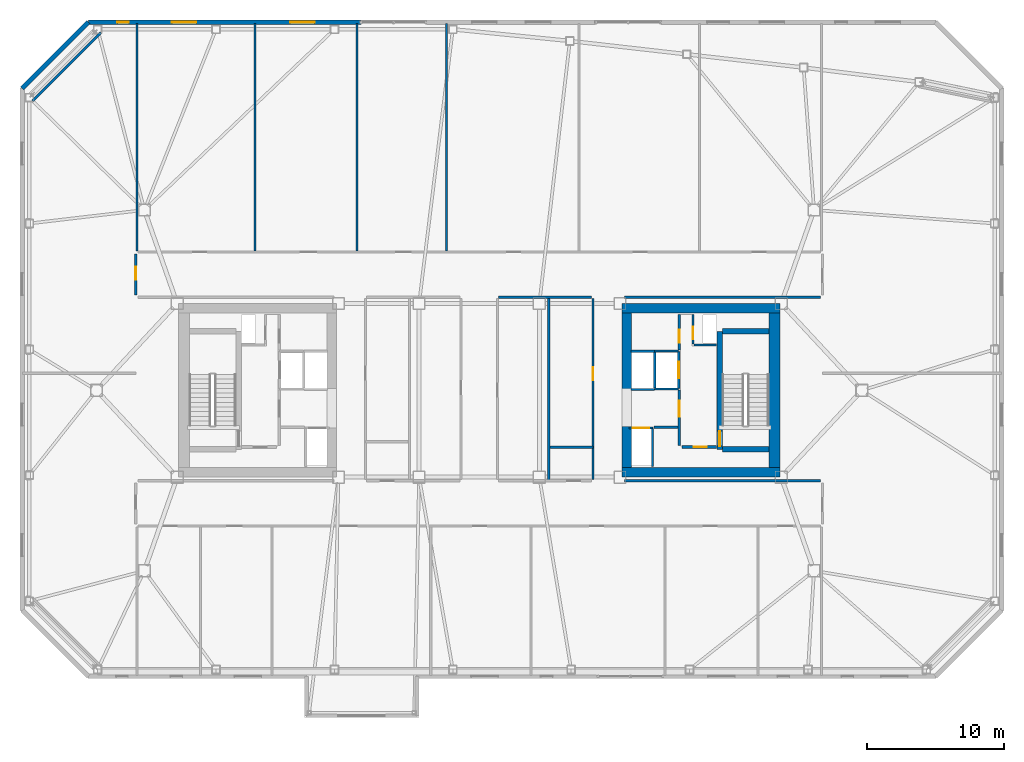
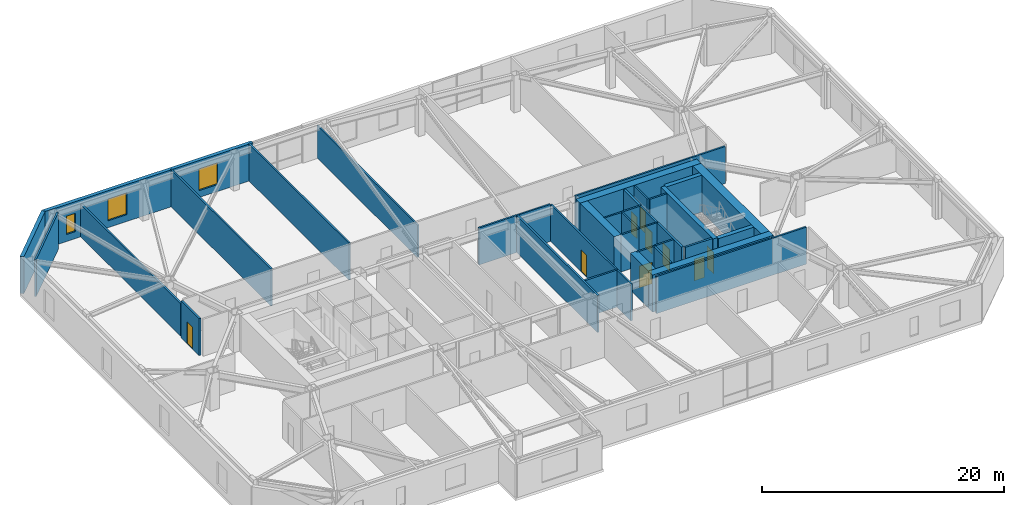
# One storey, part 11 of 16: 36 walls, 9 doors, 3 windows, 12 openings.
"""IFC4 building model written with IfcOpenShell, lengths in metres."""

from ifc_helpers import new_model, si_unit, direction, frame, frame_2d, origin, place, context, subcontext, project, spatial, rectangle, extrude, material, layer, layer_set, type_object, element, fill, save


model = new_model("IFC4")

# Units and contexts
model_context = context("Model", 3, precision=1e-05, world=origin(), true_north=direction((0.0, 1.0)))
body_context = subcontext(model_context, "Body", "Model", "MODEL_VIEW")
ifc_project = project(units=[si_unit("LENGTHUNIT", "METRE"), si_unit("AREAUNIT", "SQUARE_METRE"), si_unit("VOLUMEUNIT", "CUBIC_METRE"), si_unit("PLANEANGLEUNIT", "RADIAN"), si_unit("MASSUNIT", "GRAM", prefix="KILO")], contexts=[model_context])

# Site, building, storey
site_placement = place(None, origin())
site = spatial("IfcSite", under=ifc_project, at=site_placement, CompositionType="ELEMENT")
building_placement = place(site_placement, origin())
building = spatial("IfcBuilding", under=site, at=building_placement, Name="Tavrogorsk Clinical Tower", CompositionType="ELEMENT")
storey_placement = place(building_placement, frame((0.0, 0.0, 164.199951171875)))
storey = spatial("IfcBuildingStorey", under=building, at=storey_placement, Name="L37", CompositionType="ELEMENT", Elevation=164.199951171875)

# Wall, opening, door
ifc_material_1 = material(Name="Concrete B60", Category="concrete")
ifc_layer_1 = layer(ifc_material_1, 0.199951171875)
ifc_layer_set_1 = layer_set([ifc_layer_1], Name="Concrete B60")
wall_type_1 = type_object("IfcWallType", Name="CoreFireWall_200", PredefinedType="SOLIDWALL", material=ifc_layer_set_1)
wall_1_placement = place(storey_placement, frame((14.824951171875, -4.139892578125, 0.0), z_axis=(0.0, 0.0, 1.0), x_axis=(1.0, 0.0, 0.0)))
wall_1 = element("IfcWall", 1, at=wall_1_placement, inside=storey, type_object=wall_type_1, Name="L37 Core East South Core Room Fire Wall", PredefinedType="SOLIDWALL", context=body_context, shape_type="SweptSolid", body=[
    extrude(rectangle(XDim=2.554931640625, YDim=0.199951171875, at=frame_2d((1.27734375, 0.0))), origin(), (0.0, 0.0, 1.0), 3.739990234375),
])
opening_1_placement = place(wall_1_placement, frame((0.8798828125, 0.0, 0.0)))
opening_1 = element("IfcOpeningElement", 2, at=opening_1_placement, cuts=wall_1, Name="Opening ID-02", PredefinedType="OPENING", context=body_context, shape_type="SweptSolid", body=[
    extrude(rectangle(XDim=0.949951171875, YDim=2.199951171875, at=frame_2d((0.47509765625, 1.10009765625))), frame((0.0, 0.10986328125, 0.0), z_axis=(0.0, -1.0, 0.0), x_axis=(1.0, 0.0, 0.0)), (0.0, 0.0, 1.0), 0.219970703125),
])
ifc_material_2 = material(Name="Laminated timber leaf on aluminium frame", Category="wood")
door_type_1 = type_object("IfcDoorType", Name="InteriorDoor_ID02_950", OperationType="NOTDEFINED", PredefinedType="DOOR", material=ifc_material_2)
door_1_placement = place(opening_1_placement, origin())
door_1 = element("IfcDoor", 3, at=door_1_placement, inside=storey, type_object=door_type_1, Name="L37 Core East South Core Room Door", OperationType="SINGLE_SWING_RIGHT", OverallHeight=2.199951171875, OverallWidth=0.949951171875, PredefinedType="DOOR", context=body_context, shape_type="SweptSolid", body=[
    extrude(rectangle(XDim=0.949951171875, YDim=2.199951171875, at=frame_2d((0.47509765625, 1.10009765625))), frame((0.0, 0.02490234375, 0.0), z_axis=(0.0, -1.0, 0.0), x_axis=(1.0, 0.0, 0.0)), (0.0, 0.0, 1.0), 0.050048828125),
])
fill(opening_1, door_1)

wall_2_placement = place(storey_placement, frame((14.639892578125, 2.9599609375, 0.0), z_axis=(0.0, 0.0, 1.0), x_axis=(0.0, 1.0, 0.0)))
wall_2 = element("IfcWall", 4, at=wall_2_placement, inside=storey, type_object=wall_type_1, Name="L37 Core East North Core Room East Wall", PredefinedType="SOLIDWALL", context=body_context, shape_type="SweptSolid", body=[
    extrude(rectangle(XDim=2.60009765625, YDim=0.199951171875, at=frame_2d((1.300048828125, 0.0))), origin(), (0.0, 0.0, 1.0), 3.739990234375),
])
opening_2_placement = place(wall_2_placement, frame((0.52001953125, 0.0, 0.0)))
opening_2 = element("IfcOpeningElement", 5, at=opening_2_placement, cuts=wall_2, Name="Opening ID-02", PredefinedType="OPENING", context=body_context, shape_type="SweptSolid", body=[
    extrude(rectangle(XDim=0.949951171875, YDim=2.199951171875, at=frame_2d((0.47509765625, 1.10009765625))), frame((0.0, 0.10986328125, 0.0), z_axis=(0.0, -1.0, 0.0), x_axis=(1.0, 0.0, 0.0)), (0.0, 0.0, 1.0), 0.219970703125),
])
door_2_placement = place(opening_2_placement, origin())
door_2 = element("IfcDoor", 6, at=door_2_placement, inside=storey, type_object=door_type_1, Name="L37 Core East Core Telemetry Room Door", OperationType="SINGLE_SWING_LEFT", OverallHeight=2.199951171875, OverallWidth=0.949951171875, PredefinedType="DOOR", context=body_context, shape_type="SweptSolid", body=[
    extrude(rectangle(XDim=0.949951171875, YDim=2.199951171875, at=frame_2d((0.47509765625, 1.10009765625))), frame((0.0, 0.02490234375, 0.0), z_axis=(0.0, -1.0, 0.0), x_axis=(1.0, 0.0, 0.0)), (0.0, 0.0, 1.0), 0.050048828125),
])
fill(opening_2, door_2)

wall_3_placement = place(storey_placement, frame((14.639892578125, -4.034912109375, 0.0), z_axis=(0.0, 0.0, 1.0), x_axis=(0.0, 1.0, 0.0)))
wall_3 = element("IfcWall", 7, at=wall_3_placement, inside=storey, type_object=wall_type_1, Name="L37 Core East Firefighting Lobby Fire Wall", PredefinedType="SOLIDWALL", context=body_context, shape_type="SweptSolid", body=[
    extrude(rectangle(XDim=4.074951171875, YDim=0.199951171875, at=frame_2d((2.03759765625, 0.0))), origin(), (0.0, 0.0, 1.0), 3.739990234375),
])
opening_3_placement = place(wall_3_placement, frame((2.090087890625, 0.0, 0.0)))
opening_3 = element("IfcOpeningElement", 8, at=opening_3_placement, cuts=wall_3, Name="Opening FD-01", PredefinedType="OPENING", context=body_context, shape_type="SweptSolid", body=[
    extrude(rectangle(XDim=1.199951171875, YDim=2.199951171875, at=frame_2d((0.60009765625, 1.10009765625))), frame((0.0, 0.10986328125, 0.0), z_axis=(0.0, -1.0, 0.0), x_axis=(1.0, 0.0, 0.0)), (0.0, 0.0, 1.0), 0.219970703125),
])
ifc_material_3 = material(Name="Galvanised steel fire-rated door assembly", Category="steel")
door_type_2 = type_object("IfcDoorType", Name="FireDoor_FD01_1200", OperationType="NOTDEFINED", PredefinedType="DOOR", material=ifc_material_3)
door_3_placement = place(opening_3_placement, origin())
door_3 = element("IfcDoor", 9, at=door_3_placement, inside=storey, type_object=door_type_2, Name="L37 Core East Firefighting Lobby Entry Door", OperationType="SINGLE_SWING_RIGHT", OverallHeight=2.199951171875, OverallWidth=1.199951171875, PredefinedType="DOOR", context=body_context, shape_type="SweptSolid", body=[
    extrude(rectangle(XDim=1.199951171875, YDim=2.199951171875, at=frame_2d((0.60009765625, 1.10009765625))), frame((0.0, 0.02490234375, 0.0), z_axis=(0.0, -1.0, 0.0), x_axis=(1.0, 0.0, 0.0)), (0.0, 0.0, 1.0), 0.050048828125),
])
fill(opening_3, door_3)

# Walls
ifc_material_4 = material(Name="Lightweight concrete blockwork B15", Category="masonry")
ifc_layer_2 = layer(ifc_material_4, 0.159912109375)
ifc_layer_set_2 = layer_set([ifc_layer_2], Name="Lightweight concrete blockwork B15")
wall_type_2 = type_object("IfcWallType", Name="PartitionWall_160", PredefinedType="PARTITIONING", material=ifc_layer_set_2)
wall_4_placement = place(storey_placement, frame((12.77490234375, -2.699951171875, 0.0), z_axis=(0.0, 0.0, 1.0), x_axis=(1.0, 0.0, 0.0)))
element("IfcWall", 10, at=wall_4_placement, inside=storey, type_object=wall_type_2, Name="L37 Core East Freed Low-Bank North Partition", PredefinedType="PARTITIONING", context=body_context, shape_type="SweptSolid", body=[
    extrude(rectangle(XDim=1.760009765625, YDim=0.159912109375, at=frame_2d((0.8798828125, 0.0))), origin(), (0.0, 0.0, 1.0), 3.739990234375),
])
wall_5_placement = place(storey_placement, frame((-27.6796875, 26.1796875, 0.0), z_axis=(0.0, 0.0, 1.0), x_axis=(-0.707106781187, -0.707106781187, 0.0)))
element("IfcWall", 11, at=wall_5_placement, inside=storey, type_object=wall_type_2, Name="L37 Corner Exoskeleton Brace Furring Wall 3", PredefinedType="PARTITIONING", context=body_context, shape_type="SweptSolid", body=[
    extrude(rectangle(XDim=7.071044921875, YDim=0.159912109375, at=frame_2d((3.53564453125, 0.0))), origin(), (0.0, 0.0, 1.0), 3.739990234375),
])

# Wall, opening, door
wall_6_placement = place(storey_placement, frame((-25.1298828125, 6.985107421875, 0.0), z_axis=(0.0, 0.0, 1.0), x_axis=(0.0, 1.0, 0.0)))
wall_6 = element("IfcWall", 12, at=wall_6_placement, inside=storey, type_object=wall_type_2, Name="L37 Corridor Partition 04", PredefinedType="PARTITIONING", context=body_context, shape_type="SweptSolid", body=[
    extrude(rectangle(XDim=2.97998046875, YDim=0.159912109375, at=frame_2d((1.489990234375, 0.0))), origin(), (0.0, 0.0, 1.0), 3.739990234375),
])
opening_4_placement = place(wall_6_placement, frame((1.10009765625, 0.0, 0.0)))
opening_4 = element("IfcOpeningElement", 13, at=opening_4_placement, cuts=wall_6, Name="Opening ID-02", PredefinedType="OPENING", context=body_context, shape_type="SweptSolid", body=[
    extrude(rectangle(XDim=0.949951171875, YDim=2.199951171875, at=frame_2d((0.47509765625, 1.10009765625))), frame((0.0, 0.08984375, 0.0), z_axis=(0.0, -1.0, 0.0), x_axis=(1.0, 0.0, 0.0)), (0.0, 0.0, 1.0), 0.179931640625),
])
door_4_placement = place(opening_4_placement, origin())
door_4 = element("IfcDoor", 14, at=door_4_placement, inside=storey, type_object=door_type_1, Name="L37 W Rehabilitation Therapy Suite 2 Door", OperationType="SINGLE_SWING_LEFT", OverallHeight=2.199951171875, OverallWidth=0.949951171875, PredefinedType="DOOR", context=body_context, shape_type="SweptSolid", body=[
    extrude(rectangle(XDim=0.949951171875, YDim=2.199951171875, at=frame_2d((0.47509765625, 1.10009765625))), frame((0.0, 0.02490234375, 0.0), z_axis=(0.0, -1.0, 0.0), x_axis=(1.0, 0.0, 0.0)), (0.0, 0.0, 1.0), 0.050048828125),
])
fill(opening_4, door_4)

# Walls
for number, where, z_axis, x_axis, name in (
    (15, (24.965087890625, 6.820068359375, 0.0), (0.0, 0.0, 1.0), (-1.0, 0.0, 0.0), "L37 Corridor Partition 07"),
    (16, (10.6298828125, -6.6201171875, 0.0), (0.0, 0.0, 1.0), (1.0, 0.0, 0.0), "L37 Corridor Partition 08"),
):
    element("IfcWall", number, at=place(storey_placement, frame(where, z_axis=z_axis, x_axis=x_axis)), inside=storey, type_object=wall_type_2, Name=name, PredefinedType="PARTITIONING", context=body_context, shape_type="SweptSolid", body=[
        extrude(rectangle(XDim=14.335205078125, YDim=0.159912109375, at=frame_2d((7.16748046875, 0.0))), origin(), (0.0, 0.0, 1.0), 3.739990234375),
    ])
wall_7_placement = place(storey_placement, frame((8.235107421875, 6.820068359375, 0.0), z_axis=(0.0, 0.0, 1.0), x_axis=(-1.0, 0.0, 0.0)))
element("IfcWall", 17, at=wall_7_placement, inside=storey, type_object=wall_type_2, Name="L37 Corridor Partition 11", PredefinedType="PARTITIONING", context=body_context, shape_type="SweptSolid", body=[
    extrude(rectangle(XDim=6.820068359375, YDim=0.159912109375, at=frame_2d((3.41015625, 0.0))), origin(), (0.0, 0.0, 1.0), 3.739990234375),
])

# Wall, opening, door
wall_8_placement = place(storey_placement, frame((8.320068359375, -6.534912109375, 0.0), z_axis=(0.0, 0.0, 1.0), x_axis=(0.0, 1.0, 0.0)))
wall_8 = element("IfcWall", 18, at=wall_8_placement, inside=storey, type_object=wall_type_2, Name="L37 Corridor Partition 14", PredefinedType="PARTITIONING", context=body_context, shape_type="SweptSolid", body=[
    extrude(rectangle(XDim=13.27001953125, YDim=0.159912109375, at=frame_2d((6.635009765625, 0.0))), origin(), (0.0, 0.0, 1.0), 3.739990234375),
])
opening_5_placement = place(wall_8_placement, frame((7.285888671875, 0.0, 0.0)))
opening_5 = element("IfcOpeningElement", 19, at=opening_5_placement, cuts=wall_8, Name="Opening ID-02", PredefinedType="OPENING", context=body_context, shape_type="SweptSolid", body=[
    extrude(rectangle(XDim=0.949951171875, YDim=2.199951171875, at=frame_2d((0.47509765625, 1.10009765625))), frame((0.0, 0.08984375, 0.0), z_axis=(0.0, -1.0, 0.0), x_axis=(1.0, 0.0, 0.0)), (0.0, 0.0, 1.0), 0.179931640625),
])
door_5_placement = place(opening_5_placement, origin())
door_5 = element("IfcDoor", 20, at=door_5_placement, inside=storey, type_object=door_type_1, Name="L37 Resident Clinician Study Door", OperationType="SINGLE_SWING_LEFT", OverallHeight=2.199951171875, OverallWidth=0.949951171875, PredefinedType="DOOR", context=body_context, shape_type="SweptSolid", body=[
    extrude(rectangle(XDim=0.949951171875, YDim=2.199951171875, at=frame_2d((0.47509765625, 1.10009765625))), frame((0.0, 0.02490234375, 0.0), z_axis=(0.0, -1.0, 0.0), x_axis=(1.0, 0.0, 0.0)), (0.0, 0.0, 1.0), 0.050048828125),
])
fill(opening_5, door_5)

# Walls
wall_9_placement = place(storey_placement, frame((-25.050048828125, 10.215087890625, 0.0), z_axis=(0.0, 0.0, 1.0), x_axis=(0.0, 1.0, 0.0)))
element("IfcWall", 21, at=wall_9_placement, inside=storey, type_object=wall_type_2, Name="L37 NW Wing Closure Partition", PredefinedType="PARTITIONING", context=body_context, shape_type="SweptSolid", body=[
    extrude(rectangle(XDim=16.64501953125, YDim=0.159912109375, at=frame_2d((8.322509765625, 0.0))), origin(), (0.0, 0.0, 1.0), 3.28515625),
])
wall_10_placement = place(storey_placement, frame((-16.39990234375, 10.215087890625, 0.0), z_axis=(0.0, 0.0, 1.0), x_axis=(0.0, 1.0, 0.0)))
element("IfcWall", 22, at=wall_10_placement, inside=storey, type_object=wall_type_2, Name="L37 North Room Partition 1", PredefinedType="PARTITIONING", context=body_context, shape_type="SweptSolid", body=[
    extrude(rectangle(XDim=16.64501953125, YDim=0.159912109375, at=frame_2d((8.322509765625, 0.0))), origin(), (0.0, 0.0, 1.0), 3.739990234375),
])
wall_11_placement = place(storey_placement, frame((-2.39990234375, 10.215087890625, 0.0), z_axis=(0.0, 0.0, 1.0), x_axis=(0.0, 1.0, 0.0)))
element("IfcWall", 23, at=wall_11_placement, inside=storey, type_object=wall_type_2, Name="L37 North Room Partition 2", PredefinedType="PARTITIONING", context=body_context, shape_type="SweptSolid", body=[
    extrude(rectangle(XDim=16.64501953125, YDim=0.159912109375, at=frame_2d((8.322509765625, 0.0))), origin(), (0.0, 0.0, 1.0), 3.28515625),
])
wall_12_placement = place(storey_placement, frame((-8.949951171875, 10.215087890625, 0.0), z_axis=(0.0, 0.0, 1.0), x_axis=(0.0, 1.0, 0.0)))
element("IfcWall", 24, at=wall_12_placement, inside=storey, type_object=wall_type_2, Name="L37 North Sub-Partition 2", PredefinedType="PARTITIONING", context=body_context, shape_type="SweptSolid", body=[
    extrude(rectangle(XDim=16.64501953125, YDim=0.159912109375, at=frame_2d((8.322509765625, 0.0))), origin(), (0.0, 0.0, 1.0), 3.739990234375),
])
ifc_material_5 = material(Name="Lightweight concrete blockwork B20", Category="masonry")
ifc_layer_3 = layer(ifc_material_5, 0.179931640625)
ifc_layer_set_3 = layer_set([ifc_layer_3], Name="Lightweight concrete blockwork B20")
wall_type_3 = type_object("IfcWallType", Name="PartitionWall_180", PredefinedType="PARTITIONING", material=ifc_layer_set_3)
wall_13_placement = place(storey_placement, frame((5.10009765625, -6.614990234375, 0.0), z_axis=(0.0, 0.0, 1.0), x_axis=(0.0, 1.0, 0.0)))
element("IfcWall", 25, at=wall_13_placement, inside=storey, type_object=wall_type_3, Name="L37 Central Spine Partition 2", PredefinedType="PARTITIONING", context=body_context, shape_type="SweptSolid", body=[
    extrude(rectangle(XDim=13.429931640625, YDim=0.179931640625, at=frame_2d((6.71484375, 0.0))), origin(), (0.0, 0.0, 1.0), 3.739990234375),
])
wall_14_placement = place(storey_placement, frame((5.195068359375, -4.14990234375, 0.0), z_axis=(0.0, 0.0, 1.0), x_axis=(1.0, 0.0, 0.0)))
element("IfcWall", 26, at=wall_14_placement, inside=storey, type_object=wall_type_3, Name="L37 Central Spine Partition 4", PredefinedType="PARTITIONING", context=body_context, shape_type="SweptSolid", body=[
    extrude(rectangle(XDim=3.119873046875, YDim=0.179931640625, at=frame_2d((1.56005859375, 0.0))), origin(), (0.0, 0.0, 1.0), 3.739990234375),
])

# Wall, openings, windows
ifc_material_6 = material(Name="Precast concrete B45 with limestone cladding", Category="masonry")
ifc_layer_4 = layer(ifc_material_6, 0.340087890625)
ifc_layer_set_4 = layer_set([ifc_layer_4], Name="Precast concrete B45 with limestone cladding")
wall_type_4 = type_object("IfcWallType", Name="PrecastLimestoneWall_340", PredefinedType="STANDARD", material=ifc_layer_set_4)
wall_15_placement = place(storey_placement, frame((-8.662841796875, 26.929931640625, 0.0), z_axis=(0.0, 0.0, 1.0), x_axis=(-1.0, 0.0, 0.0)))
wall_15 = element("IfcWall", 27, at=wall_15_placement, inside=storey, type_object=wall_type_4, Name="L37 N Limestone Facade Wall 3", PredefinedType="STANDARD", context=body_context, shape_type="SweptSolid", body=[
    extrude(rectangle(XDim=19.937255859375, YDim=0.340087890625, at=frame_2d((9.96875, 0.0))), origin(), (0.0, 0.0, 1.0), 3.739990234375),
])
opening_6_placement = place(wall_15_placement, frame((16.96826171875, 0.0, 0.699951171875)))
opening_6 = element("IfcOpeningElement", 28, at=opening_6_placement, cuts=wall_15, Name="Opening WN-06", PredefinedType="OPENING", context=body_context, shape_type="SweptSolid", body=[
    extrude(rectangle(XDim=0.85009765625, YDim=1.85009765625, at=frame_2d((0.425048828125, 0.925048828125))), frame((0.0, 0.179931640625, 0.0), z_axis=(0.0, -1.0, 0.0), x_axis=(1.0, 0.0, 0.0)), (0.0, 0.0, 1.0), 0.360107421875),
])
opening_7_placement = place(wall_15_placement, frame((12.033203125, 0.0, 0.699951171875)))
opening_7 = element("IfcOpeningElement", 29, at=opening_7_placement, cuts=wall_15, Name="Opening WN-04", PredefinedType="OPENING", context=body_context, shape_type="SweptSolid", body=[
    extrude(rectangle(XDim=1.800048828125, YDim=2.199951171875, at=frame_2d((0.89990234375, 1.10009765625))), frame((0.0, 0.179931640625, 0.0), z_axis=(0.0, -1.0, 0.0), x_axis=(1.0, 0.0, 0.0)), (0.0, 0.0, 1.0), 0.360107421875),
])
opening_8_placement = place(wall_15_placement, frame((3.37060546875, 0.0, 0.699951171875)))
opening_8 = element("IfcOpeningElement", 30, at=opening_8_placement, cuts=wall_15, Name="Opening WN-04", PredefinedType="OPENING", context=body_context, shape_type="SweptSolid", body=[
    extrude(rectangle(XDim=1.800048828125, YDim=2.199951171875, at=frame_2d((0.89990234375, 1.10009765625))), frame((0.0, 0.179931640625, 0.0), z_axis=(0.0, -1.0, 0.0), x_axis=(1.0, 0.0, 0.0)), (0.0, 0.0, 1.0), 0.360107421875),
])
ifc_material_7 = material(Name="Thermally broken aluminium frame and triple IGU", Category="aluminium")
window_type_1 = type_object("IfcWindowType", Name="IsolationWin_1800x2200", PartitioningType="SINGLE_PANEL", PredefinedType="WINDOW", material=ifc_material_7)
window_1_placement = place(opening_7_placement, origin())
window_1 = element("IfcWindow", 31, at=window_1_placement, inside=storey, type_object=window_type_1, Name="L37 N Chicago Window 02", OverallHeight=2.199951171875, OverallWidth=1.800048828125, PartitioningType="SINGLE_PANEL", PredefinedType="WINDOW", context=body_context, shape_type="SweptSolid", body=[
    extrude(rectangle(XDim=1.800048828125, YDim=2.199951171875, at=frame_2d((0.89990234375, 1.10009765625))), frame((0.0, 0.030029296875, 0.0), z_axis=(0.0, -1.0, 0.0), x_axis=(1.0, 0.0, 0.0)), (0.0, 0.0, 1.0), 0.06005859375),
])
fill(opening_7, window_1)
window_2_placement = place(opening_8_placement, origin())
window_2 = element("IfcWindow", 32, at=window_2_placement, inside=storey, type_object=window_type_1, Name="L37 N Chicago Window 04", OverallHeight=2.199951171875, OverallWidth=1.800048828125, PartitioningType="SINGLE_PANEL", PredefinedType="WINDOW", context=body_context, shape_type="SweptSolid", body=[
    extrude(rectangle(XDim=1.800048828125, YDim=2.199951171875, at=frame_2d((0.89990234375, 1.10009765625))), frame((0.0, 0.030029296875, 0.0), z_axis=(0.0, -1.0, 0.0), x_axis=(1.0, 0.0, 0.0)), (0.0, 0.0, 1.0), 0.06005859375),
])
fill(opening_8, window_2)
ifc_material_8 = material(Name="Thermally broken aluminium frame and triple IGU", Category="aluminium")
window_type_2 = type_object("IfcWindowType", Name="MullionSubWin_850x1850", PartitioningType="SINGLE_PANEL", PredefinedType="WINDOW", material=ifc_material_8)
window_3_placement = place(opening_6_placement, origin())
window_3 = element("IfcWindow", 33, at=window_3_placement, inside=storey, type_object=window_type_2, Name="L37 N Mullion Split Window 01B", OverallHeight=1.85009765625, OverallWidth=0.85009765625, PartitioningType="SINGLE_PANEL", PredefinedType="WINDOW", context=body_context, shape_type="SweptSolid", body=[
    extrude(rectangle(XDim=0.85009765625, YDim=1.85009765625, at=frame_2d((0.425048828125, 0.925048828125))), frame((0.0, 0.030029296875, 0.0), z_axis=(0.0, -1.0, 0.0), x_axis=(1.0, 0.0, 0.0)), (0.0, 0.0, 1.0), 0.06005859375),
])
fill(opening_6, window_3)

# Wall
wall_16_placement = place(storey_placement, frame((-28.60009765625, 26.929931640625, 0.0), z_axis=(0.0, 0.0, 1.0), x_axis=(-0.707106781187, -0.707106781187, 0.0)))
element("IfcWall", 34, at=wall_16_placement, inside=storey, type_object=wall_type_4, Name="L37 Chamfered Corner Wall 3", PredefinedType="STANDARD", context=body_context, shape_type="SweptSolid", body=[
    extrude(rectangle(XDim=6.830322265625, YDim=0.340087890625, at=frame_2d((3.4150390625, 0.0))), origin(), (0.0, 0.0, 1.0), 3.739990234375),
])

# Wall, opening, door
ifc_material_9 = material(Name="Lightweight concrete blockwork B25", Category="masonry")
ifc_layer_5 = layer(ifc_material_9, 0.159912109375)
ifc_layer_set_5 = layer_set([ifc_layer_5], Name="Lightweight concrete blockwork B25")
wall_type_5 = type_object("IfcWallType", Name="ShaftWall_160", PredefinedType="PARTITIONING", material=ifc_layer_set_5)
wall_17_placement = place(storey_placement, frame((14.60009765625, 0.1201171875, 0.0), z_axis=(0.0, 0.0, 1.0), x_axis=(0.0, 1.0, 0.0)))
wall_17 = element("IfcWall", 35, at=wall_17_placement, inside=storey, type_object=wall_type_5, Name="L37 FFL-E Firefighting Lift Front Wall", PredefinedType="PARTITIONING", context=body_context, shape_type="SweptSolid", body=[
    extrude(rectangle(XDim=2.739990234375, YDim=0.159912109375, at=frame_2d((1.3701171875, 0.0))), origin(), (0.0, 0.0, 1.0), 3.739990234375),
])
opening_9_placement = place(wall_17_placement, frame((0.77001953125, 0.0, 0.0)))
opening_9 = element("IfcOpeningElement", 36, at=opening_9_placement, cuts=wall_17, Name="Opening LD", PredefinedType="OPENING", context=body_context, shape_type="SweptSolid", body=[
    extrude(rectangle(XDim=1.199951171875, YDim=2.199951171875, at=frame_2d((0.60009765625, 1.10009765625))), frame((0.0, 0.08984375, 0.0), z_axis=(0.0, -1.0, 0.0), x_axis=(1.0, 0.0, 0.0)), (0.0, 0.0, 1.0), 0.179931640625),
])
ifc_material_10 = material(Name="Brushed stainless steel AISI 304 sliding doors", Category="steel")
door_type_3 = type_object("IfcDoorType", Name="LiftLandingDoor_LD_1200", OperationType="SLIDING_TO_LEFT", PredefinedType="DOOR", material=ifc_material_10)
door_6_placement = place(opening_9_placement, origin())
door_6 = element("IfcDoor", 37, at=door_6_placement, inside=storey, type_object=door_type_3, Name="L37 FFL-E Sliding Lift Landing Door", OperationType="SLIDING_TO_LEFT", OverallHeight=2.199951171875, OverallWidth=1.199951171875, PredefinedType="DOOR", context=body_context, shape_type="SweptSolid", body=[
    extrude(rectangle(XDim=1.199951171875, YDim=2.199951171875, at=frame_2d((0.60009765625, 1.10009765625))), frame((0.0, 0.02490234375, 0.0), z_axis=(0.0, -1.0, 0.0), x_axis=(1.0, 0.0, 0.0)), (0.0, 0.0, 1.0), 0.050048828125),
])
fill(opening_9, door_6)

# Walls
for number, where, z_axis, x_axis, name in (
    (38, (12.840087890625, 0.10009765625, 0.0), (0.0, 0.0, 1.0), (1.0, 0.0, 0.0), "L37 FFL-E Shaft South Wall"),
    (39, (12.840087890625, 2.8798828125, 0.0), (0.0, 0.0, 1.0), (1.0, 0.0, 0.0), "L37 FFL-E Shaft North Wall"),
):
    element("IfcWall", number, at=place(storey_placement, frame(where, z_axis=z_axis, x_axis=x_axis)), inside=storey, type_object=wall_type_5, Name=name, PredefinedType="PARTITIONING", context=body_context, shape_type="SweptSolid", body=[
        extrude(rectangle(XDim=1.760009765625, YDim=0.159912109375, at=frame_2d((0.8798828125, 0.0))), origin(), (0.0, 0.0, 1.0), 3.739990234375),
    ])
wall_18_placement = place(storey_placement, frame((12.840087890625, 0.179931640625, 0.0), z_axis=(0.0, 0.0, 1.0), x_axis=(0.0, 1.0, 0.0)))
element("IfcWall", 40, at=wall_18_placement, inside=storey, type_object=wall_type_5, Name="L37 FFL-E Shaft Back Wall", PredefinedType="PARTITIONING", context=body_context, shape_type="SweptSolid", body=[
    extrude(rectangle(XDim=2.6201171875, YDim=0.159912109375, at=frame_2d((1.31005859375, 0.0))), origin(), (0.0, 0.0, 1.0), 3.739990234375),
])

# Wall, opening, door
wall_19_placement = place(storey_placement, frame((10.969970703125, -2.75, 0.0), z_axis=(0.0, 0.0, 1.0), x_axis=(1.0, 0.0, 0.0)))
wall_19 = element("IfcWall", 41, at=wall_19_placement, inside=storey, type_object=wall_type_5, Name="L37 LP-M2 Lift Shaft Portal Wall", PredefinedType="PARTITIONING", context=body_context, shape_type="SweptSolid", body=[
    extrude(rectangle(XDim=1.760009765625, YDim=0.159912109375, at=frame_2d((0.8798828125, 0.0))), origin(), (0.0, 0.0, 1.0), 3.739990234375),
])
opening_10_placement = place(wall_19_placement, frame((0.280029296875, 0.0, 0.0)))
opening_10 = element("IfcOpeningElement", 42, at=opening_10_placement, cuts=wall_19, Name="Opening LD", PredefinedType="OPENING", context=body_context, shape_type="SweptSolid", body=[
    extrude(rectangle(XDim=1.199951171875, YDim=2.199951171875, at=frame_2d((0.60009765625, 1.10009765625))), frame((0.0, 0.08984375, 0.0), z_axis=(0.0, -1.0, 0.0), x_axis=(1.0, 0.0, 0.0)), (0.0, 0.0, 1.0), 0.179931640625),
])
door_7_placement = place(opening_10_placement, origin())
door_7 = element("IfcDoor", 43, at=door_7_placement, inside=storey, type_object=door_type_3, Name="L37 LP-M2 Sliding Lift Landing Door", OperationType="SLIDING_TO_LEFT", OverallHeight=2.199951171875, OverallWidth=1.199951171875, PredefinedType="DOOR", context=body_context, shape_type="SweptSolid", body=[
    extrude(rectangle(XDim=1.199951171875, YDim=2.199951171875, at=frame_2d((0.60009765625, 1.10009765625))), frame((0.0, 0.02490234375, 0.0), z_axis=(0.0, -1.0, 0.0), x_axis=(1.0, 0.0, 0.0)), (0.0, 0.0, 1.0), 0.050048828125),
])
fill(opening_10, door_7)

# Walls
for number, where, z_axis, x_axis, name in (
    (44, (11.10009765625, 0.06005859375, 0.0), (0.0, 0.0, 1.0), (1.0, 0.0, 0.0), "L37 LP-H2 High-Zone Lift Portal Wall"),
    (45, (11.10009765625, 2.860107421875, 0.0), (0.0, 0.0, 1.0), (1.0, 0.0, 0.0), "L37 LP-H2 High-Zone Lift Rear Wall"),
):
    element("IfcWall", number, at=place(storey_placement, frame(where, z_axis=z_axis, x_axis=x_axis)), inside=storey, type_object=wall_type_5, Name=name, PredefinedType="PARTITIONING", context=body_context, shape_type="SweptSolid", body=[
        extrude(rectangle(XDim=1.719970703125, YDim=0.159912109375, at=frame_2d((0.85986328125, 0.0))), origin(), (0.0, 0.0, 1.0), 3.739990234375),
    ])

# Wall, opening, door
wall_20_placement = place(storey_placement, frame((15.639892578125, 3.405029296875, 0.0), z_axis=(0.0, 0.0, 1.0), x_axis=(0.0, 1.0, 0.0)))
wall_20 = element("IfcWall", 46, at=wall_20_placement, inside=storey, type_object=wall_type_5, Name="L37 Core East Riser West Wall", PredefinedType="PARTITIONING", context=body_context, shape_type="SweptSolid", body=[
    extrude(rectangle(XDim=2.155029296875, YDim=0.159912109375, at=frame_2d((1.07763671875, 0.0))), origin(), (0.0, 0.0, 1.0), 3.739990234375),
])
opening_11_placement = place(wall_20_placement, frame((0.35009765625, 0.0, 0.0)))
opening_11 = element("IfcOpeningElement", 47, at=opening_11_placement, cuts=wall_20, Name="Opening FD-02", PredefinedType="OPENING", context=body_context, shape_type="SweptSolid", body=[
    extrude(rectangle(XDim=0.89990234375, YDim=2.199951171875, at=frame_2d((0.449951171875, 1.10009765625))), frame((0.0, 0.08984375, 0.0), z_axis=(0.0, -1.0, 0.0), x_axis=(1.0, 0.0, 0.0)), (0.0, 0.0, 1.0), 0.179931640625),
])
ifc_material_11 = material(Name="Galvanised steel fire-rated door assembly", Category="steel")
door_type_4 = type_object("IfcDoorType", Name="FireDoor_FD02_900", OperationType="NOTDEFINED", PredefinedType="DOOR", material=ifc_material_11)
door_8_placement = place(opening_11_placement, origin())
door_8 = element("IfcDoor", 48, at=door_8_placement, inside=storey, type_object=door_type_4, Name="L37 Core East Electrical Riser Access Door", OperationType="SINGLE_SWING_LEFT", OverallHeight=2.199951171875, OverallWidth=0.89990234375, PredefinedType="DOOR", context=body_context, shape_type="SweptSolid", body=[
    extrude(rectangle(XDim=0.89990234375, YDim=2.199951171875, at=frame_2d((0.449951171875, 1.10009765625))), frame((0.0, 0.02490234375, 0.0), z_axis=(0.0, -1.0, 0.0), x_axis=(1.0, 0.0, 0.0)), (0.0, 0.0, 1.0), 0.050048828125),
])
fill(opening_11, door_8)

# Walls
wall_21_placement = place(storey_placement, frame((15.72509765625, 3.320068359375, 0.0), z_axis=(0.0, 0.0, 1.0), x_axis=(1.0, 0.0, 0.0)))
element("IfcWall", 49, at=wall_21_placement, inside=storey, type_object=wall_type_5, Name="L37 Core East Riser South Wall", PredefinedType="PARTITIONING", context=body_context, shape_type="SweptSolid", body=[
    extrude(rectangle(XDim=1.65478515625, YDim=0.159912109375, at=frame_2d((0.827392578125, 0.0))), origin(), (0.0, 0.0, 1.0), 3.739990234375),
])
wall_22_placement = place(storey_placement, frame((12.68994140625, -5.56005859375, 0.0), z_axis=(0.0, 0.0, 1.0), x_axis=(0.0, 1.0, 0.0)))
element("IfcWall", 50, at=wall_22_placement, inside=storey, type_object=wall_type_5, Name="L37 Core East Freed Low-Bank Shaft Divider", PredefinedType="PARTITIONING", context=body_context, shape_type="SweptSolid", body=[
    extrude(rectangle(XDim=2.775146484375, YDim=0.159912109375, at=frame_2d((1.3876953125, 0.0))), origin(), (0.0, 0.0, 1.0), 3.739990234375),
])

# Wall, opening, door
ifc_material_12 = material(Name="Concrete B80", Category="concrete")
ifc_layer_6 = layer(ifc_material_12, 0.39990234375)
ifc_layer_set_6 = layer_set([ifc_layer_6], Name="Concrete B80")
wall_type_6 = type_object("IfcWallType", Name="ShearWall_400", PredefinedType="SHEAR", material=ifc_layer_set_6)
wall_23_placement = place(storey_placement, frame((17.60009765625, -4.324951171875, 0.0), z_axis=(0.0, 0.0, 1.0), x_axis=(0.0, 1.0, 0.0)))
wall_23 = element("IfcWall", 51, at=wall_23_placement, inside=storey, type_object=wall_type_6, Name="L37 Core East Stair Shaft Inner Shear Wall", PredefinedType="SHEAR", context=body_context, shape_type="SweptSolid", body=[
    extrude(rectangle(XDim=8.64990234375, YDim=0.39990234375, at=frame_2d((4.324951171875, 0.0))), origin(), (0.0, 0.0, 1.0), 3.739990234375),
])
opening_12_placement = place(wall_23_placement, frame((0.25, 0.0, 0.0)))
opening_12 = element("IfcOpeningElement", 52, at=opening_12_placement, cuts=wall_23, Name="Opening SD-01", PredefinedType="OPENING", context=body_context, shape_type="SweptSolid", body=[
    extrude(rectangle(XDim=1.10009765625, YDim=2.199951171875, at=frame_2d((0.550048828125, 1.10009765625))), frame((0.0, 0.2099609375, 0.0), z_axis=(0.0, -1.0, 0.0), x_axis=(1.0, 0.0, 0.0)), (0.0, 0.0, 1.0), 0.419921875),
])
ifc_material_13 = material(Name="Galvanised steel smoke-tight fire door assembly", Category="steel")
door_type_5 = type_object("IfcDoorType", Name="StairFireDoor_SD01_1100", OperationType="NOTDEFINED", PredefinedType="DOOR", material=ifc_material_13)
door_9_placement = place(opening_12_placement, origin())
door_9 = element("IfcDoor", 53, at=door_9_placement, inside=storey, type_object=door_type_5, Name="L37 ST-E Exit Stair Door", OperationType="SINGLE_SWING_LEFT", OverallHeight=2.199951171875, OverallWidth=1.10009765625, PredefinedType="DOOR", context=body_context, shape_type="SweptSolid", body=[
    extrude(rectangle(XDim=1.10009765625, YDim=2.199951171875, at=frame_2d((0.550048828125, 1.10009765625))), frame((0.0, 0.02490234375, 0.0), z_axis=(0.0, -1.0, 0.0), x_axis=(1.0, 0.0, 0.0)), (0.0, 0.0, 1.0), 0.050048828125),
])
fill(opening_12, door_9)

# Walls
for number, where, z_axis, x_axis, name in (
    (54, (17.800048828125, -4.324951171875, 0.0), (0.0, 0.0, 1.0), (1.0, 0.0, 0.0), "L37 Core East Stair Shaft South Shear Wall"),
    (55, (17.800048828125, 4.324951171875, 0.0), (0.0, 0.0, 1.0), (1.0, 0.0, 0.0), "L37 Core East Stair Shaft North Shear Wall"),
):
    element("IfcWall", number, at=place(storey_placement, frame(where, z_axis=z_axis, x_axis=x_axis)), inside=storey, type_object=wall_type_6, Name=name, PredefinedType="SHEAR", context=body_context, shape_type="SweptSolid", body=[
        extrude(rectangle(XDim=3.39990234375, YDim=0.39990234375, at=frame_2d((1.699951171875, 0.0))), origin(), (0.0, 0.0, 1.0), 3.739990234375),
    ])
ifc_material_14 = material(Name="Concrete B80", Category="concrete")
ifc_layer_7 = layer(ifc_material_14, 0.699951171875)
ifc_layer_set_7 = layer_set([ifc_layer_7], Name="Concrete B80")
wall_type_7 = type_object("IfcWallType", Name="ShearWall_700", PredefinedType="SHEAR", material=ifc_layer_set_7)
for number, where, z_axis, x_axis, name in (
    (56, (10.449951171875, 6.0, 0.0), (0.0, 0.0, 1.0), (1.0, 0.0, 0.0), "L37 Core East North Shear Wall"),
    (57, (10.449951171875, -6.0, 0.0), (0.0, 0.0, 1.0), (1.0, 0.0, 0.0), "L37 Core East South Shear Wall"),
):
    element("IfcWall", number, at=place(storey_placement, frame(where, z_axis=z_axis, x_axis=x_axis)), inside=storey, type_object=wall_type_7, Name=name, PredefinedType="SHEAR", context=body_context, shape_type="SweptSolid", body=[
        extrude(rectangle(XDim=11.550048828125, YDim=0.699951171875, at=frame_2d((5.77490234375, 0.0))), origin(), (0.0, 0.0, 1.0), 3.739990234375),
    ])
wall_24_placement = place(storey_placement, frame((10.800048828125, -5.64990234375, 0.0), z_axis=(0.0, 0.0, 1.0), x_axis=(0.0, 1.0, 0.0)))
element("IfcWall", 58, at=wall_24_placement, inside=storey, type_object=wall_type_7, Name="L37 Core East Inner South Pier", PredefinedType="SHEAR", context=body_context, shape_type="SweptSolid", body=[
    extrude(rectangle(XDim=3.0, YDim=0.699951171875, at=frame_2d((1.5, 0.0))), origin(), (0.0, 0.0, 1.0), 3.739990234375),
])
wall_25_placement = place(storey_placement, frame((10.800048828125, 0.050048828125, 0.0), z_axis=(0.0, 0.0, 1.0), x_axis=(0.0, 1.0, 0.0)))
element("IfcWall", 59, at=wall_25_placement, inside=storey, type_object=wall_type_7, Name="L37 Core East Inner North Pier", PredefinedType="SHEAR", context=body_context, shape_type="SweptSolid", body=[
    extrude(rectangle(XDim=5.599853515625, YDim=0.699951171875, at=frame_2d((2.7998046875, 0.0))), origin(), (0.0, 0.0, 1.0), 3.739990234375),
])
ifc_material_15 = material(Name="Concrete B80", Category="concrete")
ifc_layer_8 = layer(ifc_material_15, 0.800048828125)
ifc_layer_set_8 = layer_set([ifc_layer_8], Name="Concrete B80")
wall_type_8 = type_object("IfcWallType", Name="ShearWall_800", PredefinedType="SHEAR", material=ifc_layer_set_8)
wall_26_placement = place(storey_placement, frame((21.60009765625, -5.64990234375, 0.0), z_axis=(0.0, 0.0, 1.0), x_axis=(0.0, 1.0, 0.0)))
element("IfcWall", 60, at=wall_26_placement, inside=storey, type_object=wall_type_8, Name="L37 Core East End Shear Wall", PredefinedType="SHEAR", context=body_context, shape_type="SweptSolid", body=[
    extrude(rectangle(XDim=11.2998046875, YDim=0.800048828125, at=frame_2d((5.64990234375, 0.0))), origin(), (0.0, 0.0, 1.0), 3.739990234375),
])

save(model, "model.ifc")
